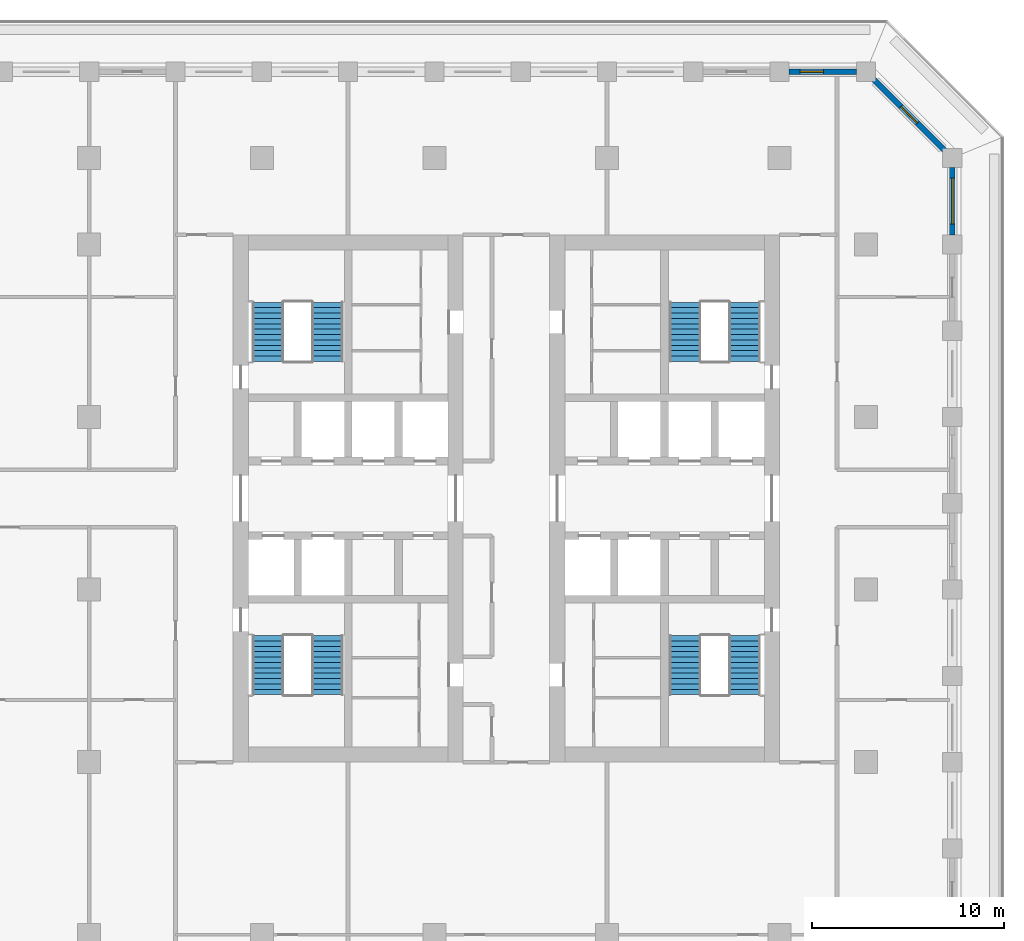
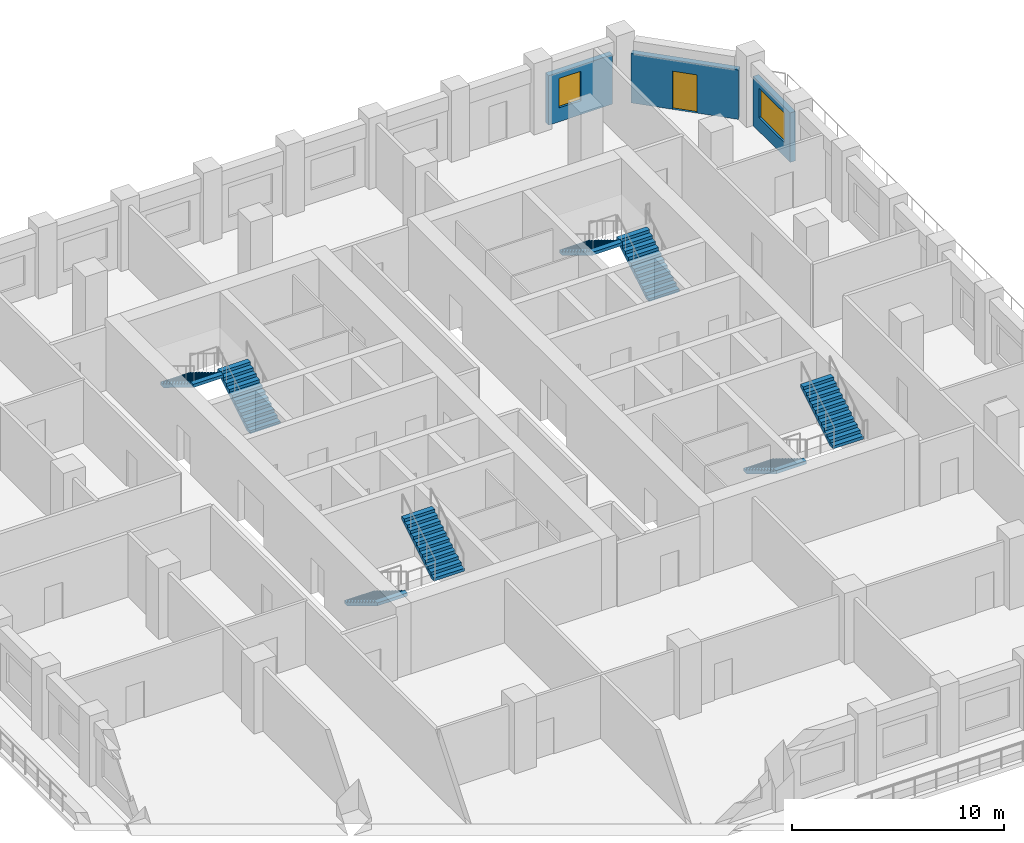
# One storey, part 8 of 16: 8 stair flights, 3 walls, 2 windows, 1 door, 3 openings, 4 elements without a shape of their own.
"""IFC4 building model written with IfcOpenShell, lengths in metres."""

from ifc_helpers import new_model, si_unit, direction, frame, frame_2d, origin, place, context, subcontext, project, spatial, polyline, rectangle, outline, extrude, material, layer, layer_set, type_object, element, fill, aggregate, save


model = new_model("IFC4")

# Units and contexts
model_context = context("Model", 3, precision=1e-05, world=origin(), true_north=direction((0.0, 1.0)))
body_context = subcontext(model_context, "Body", "Model", "MODEL_VIEW")
ifc_project = project(units=[si_unit("LENGTHUNIT", "METRE"), si_unit("AREAUNIT", "SQUARE_METRE"), si_unit("VOLUMEUNIT", "CUBIC_METRE"), si_unit("PLANEANGLEUNIT", "RADIAN"), si_unit("MASSUNIT", "GRAM", prefix="KILO")], contexts=[model_context])

# Site, building, storey
site_placement = place(None, origin())
site = spatial("IfcSite", under=ifc_project, at=site_placement, CompositionType="ELEMENT")
building_placement = place(site_placement, origin())
building = spatial("IfcBuilding", under=site, at=building_placement, Name="Corbel Stack Research Tower", CompositionType="ELEMENT")
storey_placement = place(building_placement, frame((0.0, 0.0, 169.10009765625)))
storey = spatial("IfcBuildingStorey", under=building, at=storey_placement, Name="L38", CompositionType="ELEMENT", Elevation=169.10009765625)

# Wall, opening, window
ifc_material_1 = material(Name="Concrete C45/55", Category="concrete")
ifc_layer = layer(ifc_material_1, 0.300048828125)
ifc_layer_set = layer_set([ifc_layer], Name="Concrete C45/55")
wall_type = type_object("IfcWallType", Name="Terracotta-faced concrete wall 300", PredefinedType="SOLIDWALL", material=ifc_layer_set)
wall_1_placement = place(storey_placement, frame((27.0, 22.0, 0.0), z_axis=(0.0, 0.0, 1.0), x_axis=(0.0, -1.0, 0.0)))
wall_1 = element("IfcWall", 1, at=wall_1_placement, inside=storey, type_object=wall_type, Name="Facade wall L38 E10", PredefinedType="SOLIDWALL", context=body_context, shape_type="SweptSolid", body=[
    extrude(rectangle(XDim=3.5, YDim=0.300048828125, at=frame_2d((1.75, 0.0))), origin(), (0.0, 0.0, 1.0), 2.849853515625),
])
opening_1_placement = place(wall_1_placement, frame((0.550048828125, 0.0, 0.800048828125)))
opening_1 = element("IfcOpeningElement", 2, at=opening_1_placement, cuts=wall_1, Name="Opening W1", PredefinedType="OPENING", context=body_context, shape_type="SweptSolid", body=[
    extrude(rectangle(XDim=2.39990234375, YDim=1.699951171875, at=frame_2d((1.199951171875, 0.85009765625))), frame((0.0, 0.159912109375, 0.0), z_axis=(0.0, -1.0, 0.0), x_axis=(1.0, 0.0, 0.0)), (0.0, 0.0, 1.0), 0.320068359375),
])
ifc_material_2 = material(Name="Aluminium frame, clear double glazing", Category="aluminium")
window_type_1 = type_object("IfcWindowType", Name="Window W1 2400 x 1700", PartitioningType="SINGLE_PANEL", PredefinedType="WINDOW", material=ifc_material_2)
window_1_placement = place(opening_1_placement, origin())
window_1 = element("IfcWindow", 3, at=window_1_placement, inside=storey, type_object=window_type_1, Name="Window W1 L38 E10", OverallHeight=1.699951171875, OverallWidth=2.39990234375, PartitioningType="SINGLE_PANEL", PredefinedType="WINDOW", context=body_context, shape_type="SweptSolid", body=[
    extrude(rectangle(XDim=2.39990234375, YDim=1.699951171875, at=frame_2d((1.199951171875, 0.85009765625))), frame((0.0, 0.030029296875, 0.0), z_axis=(0.0, -1.0, 0.0), x_axis=(1.0, 0.0, 0.0)), (0.0, 0.0, 1.0), 0.06005859375),
])
fill(opening_1, window_1)

# Wall, opening, door
wall_2_placement = place(storey_placement, frame((22.893798828125, 26.606201171875, 0.0), z_axis=(0.0, 0.0, 1.0), x_axis=(0.707106781187, -0.707106781187, 0.0)))
wall_2 = element("IfcWall", 4, at=wall_2_placement, inside=storey, type_object=wall_type, Name="Facade wall L38 NE01", PredefinedType="SOLIDWALL", context=body_context, shape_type="SweptSolid", body=[
    extrude(rectangle(XDim=5.250244140625, YDim=0.300048828125, at=frame_2d((2.625, 0.0))), origin(), (0.0, 0.0, 1.0), 2.849853515625),
])
opening_2_placement = place(wall_2_placement, frame((2.02490234375, 0.0, 0.0)))
opening_2 = element("IfcOpeningElement", 5, at=opening_2_placement, cuts=wall_2, Name="Opening L38-B06", PredefinedType="OPENING", context=body_context, shape_type="SweptSolid", body=[
    extrude(rectangle(XDim=1.199951171875, YDim=2.199951171875, at=frame_2d((0.60009765625, 1.10009765625))), frame((0.0, 0.159912109375, 0.0), z_axis=(0.0, -1.0, 0.0), x_axis=(1.0, 0.0, 0.0)), (0.0, 0.0, 1.0), 0.320068359375),
])
ifc_material_3 = material(Name="Aluminium frame, clear double glazing", Category="aluminium")
door_type = type_object("IfcDoorType", Name="Balcony door BD2 1200 x 2200", OperationType="NOTDEFINED", PredefinedType="DOOR", material=ifc_material_3)
door_placement = place(opening_2_placement, origin())
door = element("IfcDoor", 6, at=door_placement, inside=storey, type_object=door_type, Name="Balcony door L38-B06", OperationType="SINGLE_SWING_LEFT", OverallHeight=2.199951171875, OverallWidth=1.199951171875, PredefinedType="DOOR", context=body_context, shape_type="SweptSolid", body=[
    extrude(rectangle(XDim=1.199951171875, YDim=2.199951171875, at=frame_2d((0.60009765625, 1.10009765625))), frame((0.0, 0.02490234375, 0.0), z_axis=(0.0, -1.0, 0.0), x_axis=(1.0, 0.0, 0.0)), (0.0, 0.0, 1.0), 0.050048828125),
])
fill(opening_2, door)

# Wall, opening, window
wall_3_placement = place(storey_placement, frame((18.5, 27.0, 0.0), z_axis=(0.0, 0.0, 1.0), x_axis=(1.0, 0.0, 0.0)))
wall_3 = element("IfcWall", 7, at=wall_3_placement, inside=storey, type_object=wall_type, Name="Facade wall L38 N01", PredefinedType="SOLIDWALL", context=body_context, shape_type="SweptSolid", body=[
    extrude(rectangle(XDim=3.5, YDim=0.300048828125, at=frame_2d((1.75, 0.0))), origin(), (0.0, 0.0, 1.0), 2.849853515625),
])
opening_3_placement = place(wall_3_placement, frame((0.574951171875, 0.0, 0.800048828125)))
opening_3 = element("IfcOpeningElement", 8, at=opening_3_placement, cuts=wall_3, Name="Opening W2", PredefinedType="OPENING", context=body_context, shape_type="SweptSolid", body=[
    extrude(rectangle(XDim=1.199951171875, YDim=1.699951171875, at=frame_2d((0.60009765625, 0.85009765625))), frame((0.0, 0.159912109375, 0.0), z_axis=(0.0, -1.0, 0.0), x_axis=(1.0, 0.0, 0.0)), (0.0, 0.0, 1.0), 0.320068359375),
])
ifc_material_4 = material(Name="Aluminium frame, clear double glazing", Category="aluminium")
window_type_2 = type_object("IfcWindowType", Name="Window W2 1200 x 1700", PartitioningType="SINGLE_PANEL", PredefinedType="WINDOW", material=ifc_material_4)
window_2_placement = place(opening_3_placement, origin())
window_2 = element("IfcWindow", 9, at=window_2_placement, inside=storey, type_object=window_type_2, Name="Window W2 L38 N01", OverallHeight=1.699951171875, OverallWidth=1.199951171875, PartitioningType="SINGLE_PANEL", PredefinedType="WINDOW", context=body_context, shape_type="SweptSolid", body=[
    extrude(rectangle(XDim=1.199951171875, YDim=1.699951171875, at=frame_2d((0.60009765625, 0.85009765625))), frame((0.0, 0.030029296875, 0.0), z_axis=(0.0, -1.0, 0.0), x_axis=(1.0, 0.0, 0.0)), (0.0, 0.0, 1.0), 0.06005859375),
])
fill(opening_3, window_2)

# Stair, stair flights
ifc_material_5 = material(Name="Concrete C40/50", Category="concrete")
stair_type = type_object("IfcStairType", Name="Exit stair 24 risers", PredefinedType="HALF_TURN_STAIR", material=ifc_material_5)
stair_1_placement = place(storey_placement, origin())
stair_1 = element("IfcStair", 10, at=stair_1_placement, inside=storey, type_object=stair_type, Name="L38 Exit stair ST-W1", PredefinedType="HALF_TURN_STAIR")
ifc_material_6 = material(Name="Concrete C40/50", Category="concrete")
stair_flight_type = type_object("IfcStairFlightType", Name="Stair flight 12 risers", PredefinedType="STRAIGHT", material=ifc_material_6)
stair_flight_1_placement = place(storey_placement, frame((-8.675048828125, -2.39990234375, 0.0), z_axis=(0.0, 0.0, 1.0), x_axis=(0.0, -1.0, 0.0)))
stair_flight_1 = element("IfcStairFlight", 11, at=stair_flight_1_placement, type_object=stair_flight_type, Name="ST-W1 flight 1", NumberOfRisers=12, NumberOfTreads=11, PredefinedType="STRAIGHT", RiserHeight=0.170833333, TreadLength=0.28, context=body_context, shape_type="SweptSolid", body=[
    extrude(outline(polyline([(0.0, 0.0), (0.0, 0.1708984375), (0.280029296875, 0.1708984375), (0.280029296875, 0.341552734375), (0.56005859375, 0.341552734375), (0.56005859375, 0.512451171875), (0.840087890625, 0.512451171875), (0.840087890625, 0.683349609375), (1.1201171875, 0.683349609375), (1.1201171875, 0.854248046875), (1.39990234375, 0.854248046875), (1.39990234375, 1.02490234375), (1.679931640625, 1.02490234375), (1.679931640625, 1.19580078125), (1.9599609375, 1.19580078125), (1.9599609375, 1.36669921875), (2.239990234375, 1.36669921875), (2.239990234375, 1.53759765625), (2.52001953125, 1.53759765625), (2.52001953125, 1.708251953125), (2.800048828125, 1.708251953125), (2.800048828125, 1.879150390625), (3.080078125, 1.879150390625), (3.080078125, 2.050048828125), (3.080078125, 1.70361328125), (0.287841796875, 0.0), (0.0, 0.0)])), frame((0.0, 0.824951171875, 0.0), z_axis=(0.0, -1.0, 0.0), x_axis=(1.0, 0.0, 0.0)), (0.0, 0.0, 1.0), 1.64990234375),
])
stair_flight_2_placement = place(storey_placement, frame((-5.574951171875, -5.47998046875, 2.0498046875), z_axis=(0.0, 0.0, 1.0), x_axis=(0.0, 1.0, 0.0)))
stair_flight_2 = element("IfcStairFlight", 12, at=stair_flight_2_placement, type_object=stair_flight_type, Name="ST-W1 flight 2", NumberOfRisers=12, NumberOfTreads=11, PredefinedType="STRAIGHT", RiserHeight=0.170833333, TreadLength=0.28, context=body_context, shape_type="SweptSolid", body=[
    extrude(outline(polyline([(0.0, 0.0), (0.0, 0.1708984375), (0.280029296875, 0.1708984375), (0.280029296875, 0.341552734375), (0.56005859375, 0.341552734375), (0.56005859375, 0.512451171875), (0.840087890625, 0.512451171875), (0.840087890625, 0.683349609375), (1.1201171875, 0.683349609375), (1.1201171875, 0.854248046875), (1.39990234375, 0.854248046875), (1.39990234375, 1.02490234375), (1.679931640625, 1.02490234375), (1.679931640625, 1.19580078125), (1.9599609375, 1.19580078125), (1.9599609375, 1.36669921875), (2.239990234375, 1.36669921875), (2.239990234375, 1.53759765625), (2.52001953125, 1.53759765625), (2.52001953125, 1.708251953125), (2.800048828125, 1.708251953125), (2.800048828125, 1.879150390625), (3.080078125, 1.879150390625), (3.080078125, 2.050048828125), (3.080078125, 1.70361328125), (0.287841796875, 0.0), (0.0, 0.0)])), frame((0.0, 0.824951171875, 0.0), z_axis=(0.0, -1.0, 0.0), x_axis=(1.0, 0.0, 0.0)), (0.0, 0.0, 1.0), 1.64990234375),
])
aggregate(stair_1, [stair_flight_1, stair_flight_2])

stair_2_placement = place(storey_placement, origin())
stair_2 = element("IfcStair", 13, at=stair_2_placement, inside=storey, type_object=stair_type, Name="L38 Exit stair ST-W2", PredefinedType="HALF_TURN_STAIR")
stair_flight_3_placement = place(storey_placement, frame((-5.574951171875, 11.89990234375, 0.0), z_axis=(0.0, 0.0, 1.0), x_axis=(0.0, 1.0, 0.0)))
stair_flight_3 = element("IfcStairFlight", 14, at=stair_flight_3_placement, type_object=stair_flight_type, Name="ST-W2 flight 1", NumberOfRisers=12, NumberOfTreads=11, PredefinedType="STRAIGHT", RiserHeight=0.170833333, TreadLength=0.28, context=body_context, shape_type="SweptSolid", body=[
    extrude(outline(polyline([(0.0, 0.0), (0.0, 0.1708984375), (0.280029296875, 0.1708984375), (0.280029296875, 0.341552734375), (0.56005859375, 0.341552734375), (0.56005859375, 0.512451171875), (0.840087890625, 0.512451171875), (0.840087890625, 0.683349609375), (1.1201171875, 0.683349609375), (1.1201171875, 0.854248046875), (1.39990234375, 0.854248046875), (1.39990234375, 1.02490234375), (1.679931640625, 1.02490234375), (1.679931640625, 1.19580078125), (1.9599609375, 1.19580078125), (1.9599609375, 1.36669921875), (2.239990234375, 1.36669921875), (2.239990234375, 1.53759765625), (2.52001953125, 1.53759765625), (2.52001953125, 1.708251953125), (2.800048828125, 1.708251953125), (2.800048828125, 1.879150390625), (3.080078125, 1.879150390625), (3.080078125, 2.050048828125), (3.080078125, 1.70361328125), (0.287841796875, 0.0), (0.0, 0.0)])), frame((0.0, 0.824951171875, 0.0), z_axis=(0.0, -1.0, 0.0), x_axis=(1.0, 0.0, 0.0)), (0.0, 0.0, 1.0), 1.64990234375),
])
stair_flight_4_placement = place(storey_placement, frame((-8.675048828125, 14.97998046875, 2.0498046875), z_axis=(0.0, 0.0, 1.0), x_axis=(0.0, -1.0, 0.0)))
stair_flight_4 = element("IfcStairFlight", 15, at=stair_flight_4_placement, type_object=stair_flight_type, Name="ST-W2 flight 2", NumberOfRisers=12, NumberOfTreads=11, PredefinedType="STRAIGHT", RiserHeight=0.170833333, TreadLength=0.28, context=body_context, shape_type="SweptSolid", body=[
    extrude(outline(polyline([(0.0, 0.0), (0.0, 0.1708984375), (0.280029296875, 0.1708984375), (0.280029296875, 0.341552734375), (0.56005859375, 0.341552734375), (0.56005859375, 0.512451171875), (0.840087890625, 0.512451171875), (0.840087890625, 0.683349609375), (1.1201171875, 0.683349609375), (1.1201171875, 0.854248046875), (1.39990234375, 0.854248046875), (1.39990234375, 1.02490234375), (1.679931640625, 1.02490234375), (1.679931640625, 1.19580078125), (1.9599609375, 1.19580078125), (1.9599609375, 1.36669921875), (2.239990234375, 1.36669921875), (2.239990234375, 1.53759765625), (2.52001953125, 1.53759765625), (2.52001953125, 1.708251953125), (2.800048828125, 1.708251953125), (2.800048828125, 1.879150390625), (3.080078125, 1.879150390625), (3.080078125, 2.050048828125), (3.080078125, 1.70361328125), (0.287841796875, 0.0), (0.0, 0.0)])), frame((0.0, 0.824951171875, 0.0), z_axis=(0.0, -1.0, 0.0), x_axis=(1.0, 0.0, 0.0)), (0.0, 0.0, 1.0), 1.64990234375),
])
aggregate(stair_2, [stair_flight_3, stair_flight_4])

stair_3_placement = place(storey_placement, origin())
stair_3 = element("IfcStair", 16, at=stair_3_placement, inside=storey, type_object=stair_type, Name="L38 Exit stair ST-E1", PredefinedType="HALF_TURN_STAIR")
stair_flight_5_placement = place(storey_placement, frame((13.074951171875, -2.39990234375, 0.0), z_axis=(0.0, 0.0, 1.0), x_axis=(0.0, -1.0, 0.0)))
stair_flight_5 = element("IfcStairFlight", 17, at=stair_flight_5_placement, type_object=stair_flight_type, Name="ST-E1 flight 1", NumberOfRisers=12, NumberOfTreads=11, PredefinedType="STRAIGHT", RiserHeight=0.170833333, TreadLength=0.28, context=body_context, shape_type="SweptSolid", body=[
    extrude(outline(polyline([(0.0, 0.0), (0.0, 0.1708984375), (0.280029296875, 0.1708984375), (0.280029296875, 0.341552734375), (0.56005859375, 0.341552734375), (0.56005859375, 0.512451171875), (0.840087890625, 0.512451171875), (0.840087890625, 0.683349609375), (1.1201171875, 0.683349609375), (1.1201171875, 0.854248046875), (1.39990234375, 0.854248046875), (1.39990234375, 1.02490234375), (1.679931640625, 1.02490234375), (1.679931640625, 1.19580078125), (1.9599609375, 1.19580078125), (1.9599609375, 1.36669921875), (2.239990234375, 1.36669921875), (2.239990234375, 1.53759765625), (2.52001953125, 1.53759765625), (2.52001953125, 1.708251953125), (2.800048828125, 1.708251953125), (2.800048828125, 1.879150390625), (3.080078125, 1.879150390625), (3.080078125, 2.050048828125), (3.080078125, 1.70361328125), (0.287841796875, 0.0), (0.0, 0.0)])), frame((0.0, 0.824951171875, 0.0), z_axis=(0.0, -1.0, 0.0), x_axis=(1.0, 0.0, 0.0)), (0.0, 0.0, 1.0), 1.64990234375),
])
stair_flight_6_placement = place(storey_placement, frame((16.175048828125, -5.47998046875, 2.0498046875), z_axis=(0.0, 0.0, 1.0), x_axis=(0.0, 1.0, 0.0)))
stair_flight_6 = element("IfcStairFlight", 18, at=stair_flight_6_placement, type_object=stair_flight_type, Name="ST-E1 flight 2", NumberOfRisers=12, NumberOfTreads=11, PredefinedType="STRAIGHT", RiserHeight=0.170833333, TreadLength=0.28, context=body_context, shape_type="SweptSolid", body=[
    extrude(outline(polyline([(0.0, 0.0), (0.0, 0.1708984375), (0.280029296875, 0.1708984375), (0.280029296875, 0.341552734375), (0.56005859375, 0.341552734375), (0.56005859375, 0.512451171875), (0.840087890625, 0.512451171875), (0.840087890625, 0.683349609375), (1.1201171875, 0.683349609375), (1.1201171875, 0.854248046875), (1.39990234375, 0.854248046875), (1.39990234375, 1.02490234375), (1.679931640625, 1.02490234375), (1.679931640625, 1.19580078125), (1.9599609375, 1.19580078125), (1.9599609375, 1.36669921875), (2.239990234375, 1.36669921875), (2.239990234375, 1.53759765625), (2.52001953125, 1.53759765625), (2.52001953125, 1.708251953125), (2.800048828125, 1.708251953125), (2.800048828125, 1.879150390625), (3.080078125, 1.879150390625), (3.080078125, 2.050048828125), (3.080078125, 1.70361328125), (0.287841796875, 0.0), (0.0, 0.0)])), frame((0.0, 0.824951171875, 0.0), z_axis=(0.0, -1.0, 0.0), x_axis=(1.0, 0.0, 0.0)), (0.0, 0.0, 1.0), 1.64990234375),
])
aggregate(stair_3, [stair_flight_5, stair_flight_6])

stair_4_placement = place(storey_placement, origin())
stair_4 = element("IfcStair", 19, at=stair_4_placement, inside=storey, type_object=stair_type, Name="L38 Exit stair ST-E2", PredefinedType="HALF_TURN_STAIR")
stair_flight_7_placement = place(storey_placement, frame((16.175048828125, 11.89990234375, 0.0), z_axis=(0.0, 0.0, 1.0), x_axis=(0.0, 1.0, 0.0)))
stair_flight_7 = element("IfcStairFlight", 20, at=stair_flight_7_placement, type_object=stair_flight_type, Name="ST-E2 flight 1", NumberOfRisers=12, NumberOfTreads=11, PredefinedType="STRAIGHT", RiserHeight=0.170833333, TreadLength=0.28, context=body_context, shape_type="SweptSolid", body=[
    extrude(outline(polyline([(0.0, 0.0), (0.0, 0.1708984375), (0.280029296875, 0.1708984375), (0.280029296875, 0.341552734375), (0.56005859375, 0.341552734375), (0.56005859375, 0.512451171875), (0.840087890625, 0.512451171875), (0.840087890625, 0.683349609375), (1.1201171875, 0.683349609375), (1.1201171875, 0.854248046875), (1.39990234375, 0.854248046875), (1.39990234375, 1.02490234375), (1.679931640625, 1.02490234375), (1.679931640625, 1.19580078125), (1.9599609375, 1.19580078125), (1.9599609375, 1.36669921875), (2.239990234375, 1.36669921875), (2.239990234375, 1.53759765625), (2.52001953125, 1.53759765625), (2.52001953125, 1.708251953125), (2.800048828125, 1.708251953125), (2.800048828125, 1.879150390625), (3.080078125, 1.879150390625), (3.080078125, 2.050048828125), (3.080078125, 1.70361328125), (0.287841796875, 0.0), (0.0, 0.0)])), frame((0.0, 0.824951171875, 0.0), z_axis=(0.0, -1.0, 0.0), x_axis=(1.0, 0.0, 0.0)), (0.0, 0.0, 1.0), 1.64990234375),
])
stair_flight_8_placement = place(storey_placement, frame((13.074951171875, 14.97998046875, 2.0498046875), z_axis=(0.0, 0.0, 1.0), x_axis=(0.0, -1.0, 0.0)))
stair_flight_8 = element("IfcStairFlight", 21, at=stair_flight_8_placement, type_object=stair_flight_type, Name="ST-E2 flight 2", NumberOfRisers=12, NumberOfTreads=11, PredefinedType="STRAIGHT", RiserHeight=0.170833333, TreadLength=0.28, context=body_context, shape_type="SweptSolid", body=[
    extrude(outline(polyline([(0.0, 0.0), (0.0, 0.1708984375), (0.280029296875, 0.1708984375), (0.280029296875, 0.341552734375), (0.56005859375, 0.341552734375), (0.56005859375, 0.512451171875), (0.840087890625, 0.512451171875), (0.840087890625, 0.683349609375), (1.1201171875, 0.683349609375), (1.1201171875, 0.854248046875), (1.39990234375, 0.854248046875), (1.39990234375, 1.02490234375), (1.679931640625, 1.02490234375), (1.679931640625, 1.19580078125), (1.9599609375, 1.19580078125), (1.9599609375, 1.36669921875), (2.239990234375, 1.36669921875), (2.239990234375, 1.53759765625), (2.52001953125, 1.53759765625), (2.52001953125, 1.708251953125), (2.800048828125, 1.708251953125), (2.800048828125, 1.879150390625), (3.080078125, 1.879150390625), (3.080078125, 2.050048828125), (3.080078125, 1.70361328125), (0.287841796875, 0.0), (0.0, 0.0)])), frame((0.0, 0.824951171875, 0.0), z_axis=(0.0, -1.0, 0.0), x_axis=(1.0, 0.0, 0.0)), (0.0, 0.0, 1.0), 1.64990234375),
])
aggregate(stair_4, [stair_flight_7, stair_flight_8])

save(model, "model.ifc")
